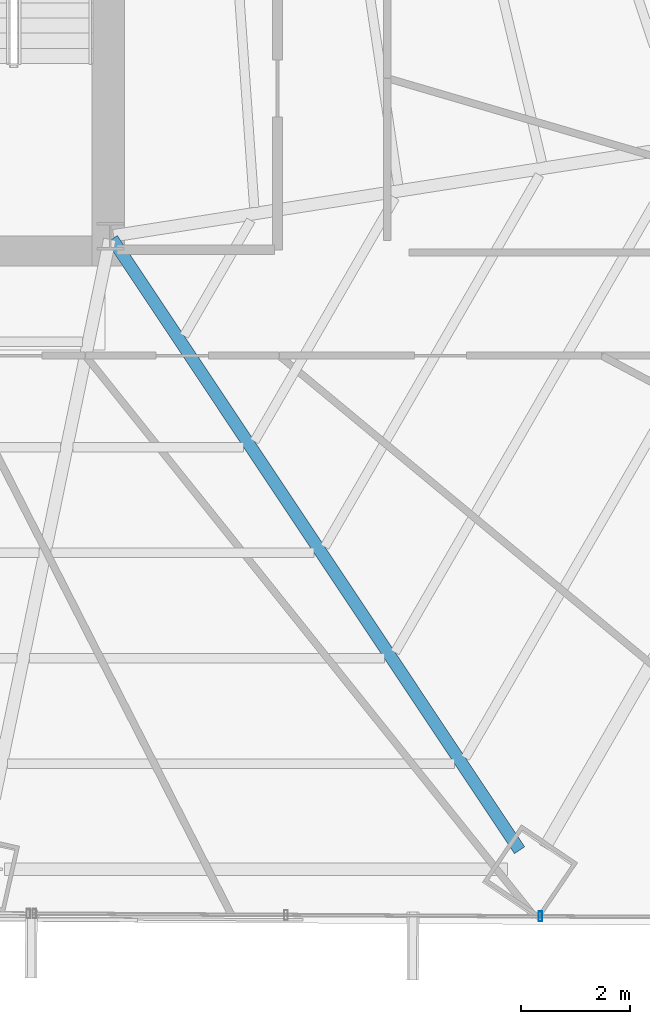
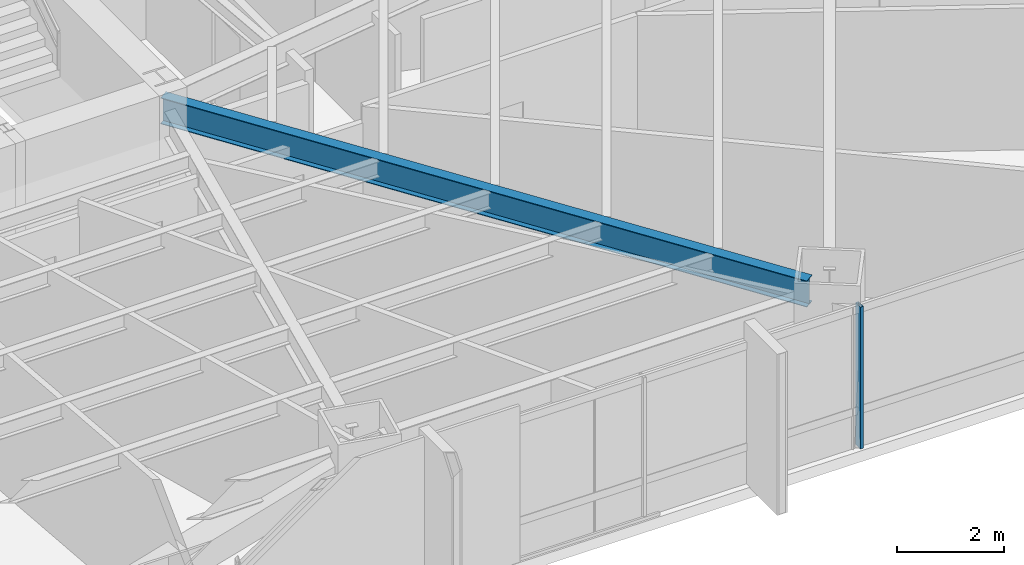
# One storey, part 16 of 39: 1 beam, 1 member, 1 element without a shape of its own.
"""IFC4 building model written with IfcOpenShell, lengths in metres."""

from ifc_helpers import new_model, si_unit, direction, frame, origin, origin_2d, place, context, subcontext, project, spatial, hollow_rectangle, i_section, extrude, source, transform, mapped, material, material_profile, profile_set, type_object, type_shapes, element, aggregate, save


model = new_model("IFC4")

# Units and contexts
model_context = context("Model", 3, precision=1e-05, world=origin(), true_north=direction((0.0, 1.0)))
body_context = subcontext(model_context, "Body", "Model", "MODEL_VIEW")
ifc_project = project(units=[si_unit("LENGTHUNIT", "METRE"), si_unit("AREAUNIT", "SQUARE_METRE"), si_unit("VOLUMEUNIT", "CUBIC_METRE"), si_unit("PLANEANGLEUNIT", "RADIAN"), si_unit("MASSUNIT", "GRAM", prefix="KILO")], contexts=[model_context])

# Site, building, storey
site_placement = place(None, origin())
site = spatial("IfcSite", under=ifc_project, at=site_placement, CompositionType="ELEMENT")
building_placement = place(site_placement, origin())
building = spatial("IfcBuilding", under=site, at=building_placement, Name="Caelisora Broadcast Tower", CompositionType="ELEMENT")
storey_placement = place(building_placement, frame((0.0, 0.0, 71.39990234375)))
storey = spatial("IfcBuildingStorey", under=building, at=storey_placement, Name="L18", CompositionType="ELEMENT", Elevation=71.39990234375)

# Beam
ifc_material_1 = material(Name="Steel Grade 350 (AS/NZS 3679.1)", Category="steel")
ifc_material_profile_1 = material_profile(ifc_material_1, i_section(OverallWidth=0.22802734375, OverallDepth=0.602294921875, WebThickness=0.010498046875, FlangeThickness=0.014892578125, at=origin_2d()), Name="Steel Grade 350 (AS/NZS 3679.1)")
ifc_profile_set_1 = profile_set([ifc_material_profile_1], Name="Steel Grade 350 (AS/NZS 3679.1)")
beam_type = type_object("IfcBeamType", Name="PG04", PredefinedType="BEAM", material=ifc_profile_set_1)
shared_shape_1 = source(origin(), body_context, "Body", "SweptSolid", [
    extrude(i_section(OverallWidth=0.22802734375, OverallDepth=0.602294921875, WebThickness=0.010498046875, FlangeThickness=0.014892578125, at=origin_2d()), origin(), (0.0, 0.0, 1.0), 13.53271484375),
])
type_shapes(beam_type, [shared_shape_1])
beam_placement = place(storey_placement, frame((45.533203125, 17.35009765625, 2.948974609375), z_axis=(0.554608601387, -0.832111350282, 0.0), x_axis=(0.832111350282, 0.554608601387, 0.0)))
element("IfcBeam", 1, at=beam_placement, inside=storey, type_object=beam_type, Name="L18 beam PG04", PredefinedType="BEAM", context=body_context, shape_type="MappedRepresentation", body=[
    mapped(shared_shape_1, transform((0.0, 0.0, 0.0), scale=1.0)),
])

# Curtain wall, member
ifc_material_2 = material(Name="Unitised Aluminium and Low-E Glass Curtain Wall", Category="glass")
curtain_wall_type = type_object("IfcCurtainWallType", Name="CW-Z1", PredefinedType="NOTDEFINED", material=ifc_material_2)
curtain_wall_placement = place(storey_placement, origin())
curtain_wall = element("IfcCurtainWall", 2, at=curtain_wall_placement, inside=storey, type_object=curtain_wall_type, Name="L18 curtain wall CW-Z1", PredefinedType="NOTDEFINED")
ifc_material_3 = material(Name="Aluminium 6063-T6 Anodised Terracotta Bronze", Category="aluminium")
ifc_material_profile_2 = material_profile(ifc_material_3, hollow_rectangle(XDim=0.06494140625, YDim=0.179931640625, WallThickness=0.00341796875, at=origin_2d()), Name="Aluminium 6063-T6 Anodised Terracotta Bronze")
ifc_profile_set_2 = profile_set([ifc_material_profile_2], Name="Aluminium 6063-T6 Anodised Terracotta Bronze")
member_type = type_object("IfcMemberType", Name="CWM-02", PredefinedType="MULLION", material=ifc_profile_set_2)
shared_shape_2 = source(origin(), body_context, "Body", "SweptSolid", [
    extrude(hollow_rectangle(XDim=0.06494140625, YDim=0.179931640625, WallThickness=0.00341796875, at=origin_2d()), origin(), (0.0, 0.0, 1.0), 3.25),
])
type_shapes(member_type, [shared_shape_2])
member_placement = place(storey_placement, frame((53.420654296875, 4.87255859375, 0.0), z_axis=(0.0, 0.0, 1.0), x_axis=(1.0, 0.0, 0.0)))
member = element("IfcMember", 3, at=member_placement, type_object=member_type, Name="L18-CW-B05 mullion #1", PredefinedType="MULLION", context=body_context, shape_type="MappedRepresentation", body=[
    mapped(shared_shape_2, transform((0.0, 0.0, 0.0), scale=1.0)),
])
aggregate(curtain_wall, [member])

save(model, "model.ifc")
